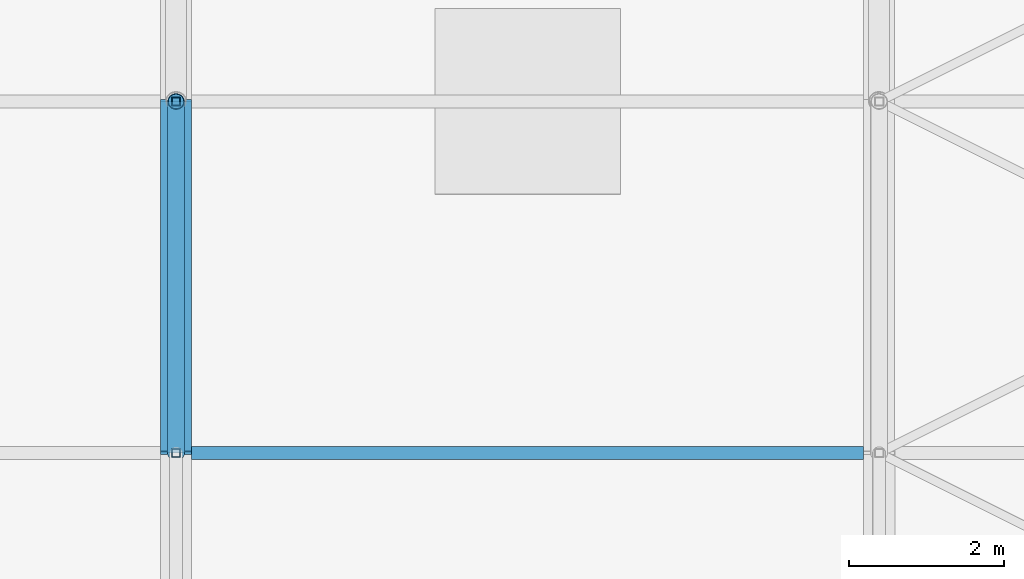
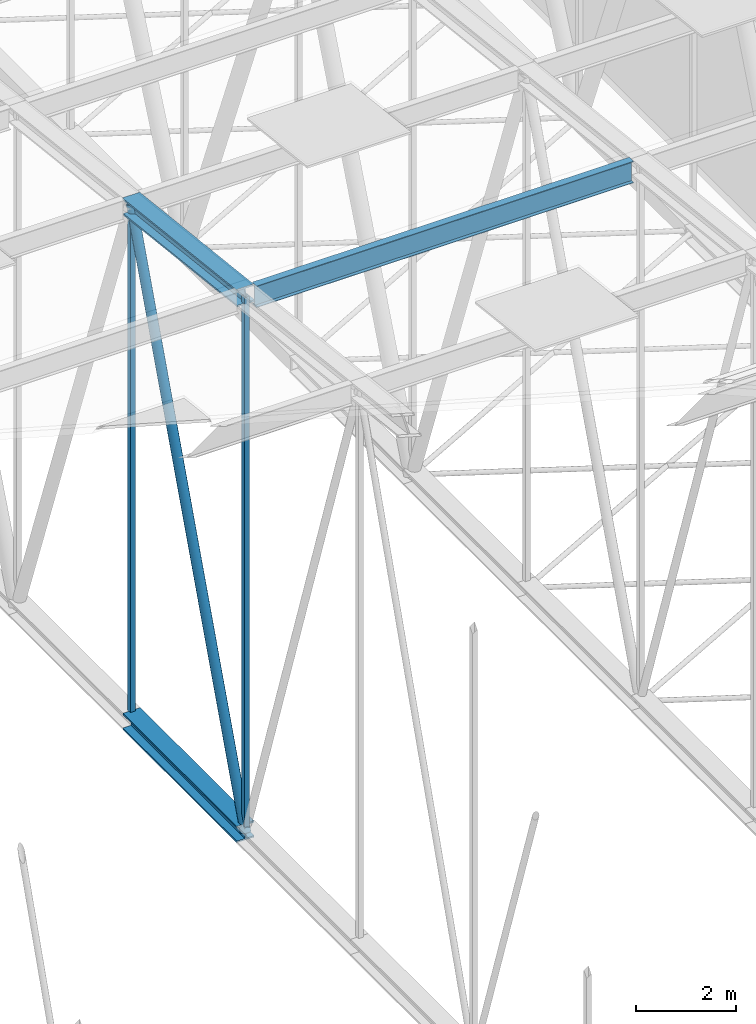
# One storey, part 263 of 500: 6 members.
"""IFC4 building model written with IfcOpenShell, lengths in metres."""

import ifcopenshell
import ifcopenshell.guid

model = None  # the IFC model being written
_history = None  # IfcOwnerHistory: only IFC2X3 demands one
_inside = {}  # id of a spatial element -> (the spatial element, [elements in it])
_under = {}  # id of a project, library or spatial element -> (it, [spatial elements below it])
_declared = {}  # id of a project -> (the project, [libraries it declares])
_typed = {}  # id of a type object -> (the type object, [elements of that type])
_made_of = {}  # id of a material, layer set ... -> (it, [elements and type objects made of it])


def new_model(schema):
    """Start an empty IFC model of exactly this schema.

    Asked for "IFC4X3", IfcOpenShell would pick the latest addendum, in which some entities
    have other attributes; the version numbers below select the first issue.
    IFC2X3 requires an IfcOwnerHistory on every rooted entity: one is made here for all.
    """
    global model, _history
    if schema == "IFC4X3":
        model = ifcopenshell.file(schema_version=(4, 3, 0, 0))
    else:
        model = ifcopenshell.file(schema=schema)
    _inside.clear()
    _under.clear()
    _declared.clear()
    _typed.clear()
    _made_of.clear()
    _history = None
    if model.schema == "IFC2X3":
        org = make("IfcOrganization", Name="unknown")
        user = make(
            "IfcPersonAndOrganization",
            ThePerson=make("IfcPerson", FamilyName="unknown"),
            TheOrganization=org,
        )
        app = make(
            "IfcApplication",
            ApplicationDeveloper=org,
            Version="unknown",
            ApplicationFullName="unknown",
            ApplicationIdentifier="unknown",
        )
        _history = make(
            "IfcOwnerHistory",
            OwningUser=user,
            OwningApplication=app,
            ChangeAction="ADDED",
            CreationDate=0,
        )
    return model


def make(cls, **values):
    """One entity of the class cls with the attributes given. An attribute that is None is left unset."""
    return model.create_entity(
        cls, **{name: value for name, value in values.items() if value is not None}
    )


def rooted(cls, **values):
    """An entity with a GlobalId (a new one), such as an element, a storey or a relation."""
    return make(cls, GlobalId=ifcopenshell.guid.new(), OwnerHistory=_history, **values)


def si_unit(unit_type, name, prefix=None):
    """IfcSIUnit, for example si_unit("LENGTHUNIT", "METRE", prefix="MILLI")."""
    return make("IfcSIUnit", UnitType=unit_type, Prefix=prefix, Name=name)


def assignment(units):
    """IfcUnitAssignment: the units of a project."""
    return None if units is None else make("IfcUnitAssignment", Units=units)


def point(xyz):
    """IfcCartesianPoint."""
    return None if xyz is None else make("IfcCartesianPoint", Coordinates=xyz)


def direction(xyz):
    """IfcDirection."""
    return None if xyz is None else make("IfcDirection", DirectionRatios=xyz)


def frame(location, z_axis=None, x_axis=None):
    """IfcAxis2Placement3D, a coordinate frame: its origin and axes. An axis left out is left unset."""
    return make(
        "IfcAxis2Placement3D",
        Location=point(location),
        Axis=direction(z_axis),
        RefDirection=direction(x_axis),
    )


def frame_2d(location, x_axis=None):
    """IfcAxis2Placement2D, a coordinate frame in the plane: its origin and x axis."""
    return make(
        "IfcAxis2Placement2D", Location=point(location), RefDirection=direction(x_axis)
    )


def origin():
    """The frame at (0, 0, 0) with its axes left unset."""
    return frame((0.0, 0.0, 0.0))


def origin_2d():
    """The frame at (0, 0) in the plane with its x axis left unset."""
    return frame_2d((0.0, 0.0))


def place(relative_to, where):
    """IfcLocalPlacement: puts the frame where relative to a parent placement (None: the world)."""
    return make(
        "IfcLocalPlacement", PlacementRelTo=relative_to, RelativePlacement=where
    )


def context(
    kind, dimensions, precision=None, world=None, true_north=None, identifier=None
):
    """IfcGeometricRepresentationContext, for example the 3D "Model" context."""
    return make(
        "IfcGeometricRepresentationContext",
        ContextIdentifier=identifier,
        ContextType=kind,
        CoordinateSpaceDimension=dimensions,
        Precision=precision,
        WorldCoordinateSystem=world,
        TrueNorth=true_north,
    )


def subcontext(parent, identifier, kind, view, scale=None):
    """IfcGeometricRepresentationSubContext, for example "Body" below "Model"."""
    return make(
        "IfcGeometricRepresentationSubContext",
        ContextIdentifier=identifier,
        ContextType=kind,
        ParentContext=parent,
        TargetScale=scale,
        TargetView=view,
    )


def project(units=None, contexts=None):
    """IfcProject with its units and contexts."""
    return rooted(
        "IfcProject",
        Name="project",
        RepresentationContexts=contexts,
        UnitsInContext=assignment(units),
    )


def spatial(cls, under=None, at=None, **own):
    """A site, building, storey or space (cls), placed at a placement, below another one or the project."""
    s = rooted(cls, ObjectPlacement=at, **own)
    if under is not None:
        _under.setdefault(under.id(), (under, []))[1].append(s)
    return s


def profile(cls, at=None, kind="AREA", **sizes):
    """A parametric profile (cls). Its sizes go by their IFC names, for example OverallWidth=200.0."""
    return make(cls, ProfileType=kind, Position=at, **sizes)


def hollow_rectangle(**sizes):
    """IfcRectangleHollowProfileDef."""
    return profile("IfcRectangleHollowProfileDef", **sizes)


def hollow_circle(**sizes):
    """IfcCircleHollowProfileDef."""
    return profile("IfcCircleHollowProfileDef", **sizes)


def i_section(**sizes):
    """IfcIShapeProfileDef."""
    return profile("IfcIShapeProfileDef", **sizes)


def extrude(swept, where, along, depth):
    """IfcExtrudedAreaSolid: the profile swept, set in the frame where, extruded along a direction by depth."""
    return make(
        "IfcExtrudedAreaSolid",
        SweptArea=swept,
        Position=where,
        ExtrudedDirection=direction(along),
        Depth=depth,
    )


def shape(context_of_items, identifier, shape_type, items):
    """IfcShapeRepresentation: the items that make up one representation, for example the "Body"."""
    return make(
        "IfcShapeRepresentation",
        ContextOfItems=context_of_items,
        RepresentationIdentifier=identifier,
        RepresentationType=shape_type,
        Items=items,
    )


def material(Name=None, Category=None):
    """IfcMaterial."""
    return make("IfcMaterial", Name=Name, Category=Category)


def material_profile(
    of_material, cross_section, Name=None, Category=None, Priority=None
):
    """IfcMaterialProfile: a cross section and its material."""
    return make(
        "IfcMaterialProfile",
        Name=Name,
        Material=of_material,
        Profile=cross_section,
        Priority=Priority,
        Category=Category,
    )


def profile_set(profiles, Name=None, composite=None):
    """IfcMaterialProfileSet."""
    return make(
        "IfcMaterialProfileSet",
        Name=Name,
        MaterialProfiles=profiles,
        CompositeProfile=composite,
    )


def made_of(thing, what):
    """Note that an element or type object is made of a material, layer set ...; save() writes the relation."""
    if what is not None:
        _made_of.setdefault(what.id(), (what, []))[1].append(thing)
    return thing


def type_object(cls, material=None, **own):
    """A type object (cls), such as IfcWallType, which elements share."""
    return made_of(rooted(cls, **own), material)


def element(
    cls,
    number,
    at=None,
    inside=None,
    cuts=None,
    type_object=None,
    material=None,
    context=None,
    identifier="Body",
    shape_type=None,
    held_by="IfcProductDefinitionShape",
    body=None,
    shapes=None,
    **own,
):
    """One element of the class cls, such as IfcWall. Its Tag is "e" and its number.

    at: its placement. inside: the storey or other place that contains it. cuts: it is an
    opening in that element (IfcRelVoidsElement). A single representation is given by context,
    identifier, shape_type and body (its items); several are given by shapes. held_by: the class
    of the entity that holds the representations. save() writes the other relations.
    """
    e = rooted(cls, Tag="e%d" % number, ObjectPlacement=at, **own)
    if body is not None:
        shapes = [shape(context, identifier, shape_type, body)]
    if shapes is not None:
        e.Representation = make(held_by, Representations=shapes)
    if inside is not None:
        _inside.setdefault(inside.id(), (inside, []))[1].append(e)
    if cuts is not None:
        rooted(
            "IfcRelVoidsElement", RelatingBuildingElement=cuts, RelatedOpeningElement=e
        )
    if type_object is not None:
        _typed.setdefault(type_object.id(), (type_object, []))[1].append(e)
    return made_of(e, material)


def aggregate(whole, parts):
    """IfcRelAggregates: a whole, such as a stair, and the parts it consists of."""
    return rooted("IfcRelAggregates", RelatingObject=whole, RelatedObjects=parts)


def save(model, path):
    """Write the relations noted so far, then the file.

    IfcRelAggregates (storeys below a building ...), IfcRelContainedInSpatialStructure (elements
    in a storey), IfcRelDefinesByType, IfcRelAssociatesMaterial and IfcRelDeclares: one each for
    every whole, place, type object, material and project.
    """
    for whole, parts in _under.values():
        aggregate(whole, parts)
    for where, things in _inside.values():
        rooted(
            "IfcRelContainedInSpatialStructure",
            RelatedElements=things,
            RelatingStructure=where,
        )
    for kind, things in _typed.values():
        rooted("IfcRelDefinesByType", RelatedObjects=things, RelatingType=kind)
    for what, things in _made_of.values():
        rooted("IfcRelAssociatesMaterial", RelatedObjects=things, RelatingMaterial=what)
    for by, libraries in _declared.values():
        rooted("IfcRelDeclares", RelatingContext=by, RelatedDefinitions=libraries)
    model.write(path)


model = new_model("IFC4")

# Units and contexts
model_context = context("Model", 3, precision=1e-05, world=origin(), true_north=direction((0.0, 1.0)))
body_context = subcontext(model_context, "Body", "Model", "MODEL_VIEW")
ifc_project = project(units=[si_unit("LENGTHUNIT", "METRE"), si_unit("AREAUNIT", "SQUARE_METRE"), si_unit("VOLUMEUNIT", "CUBIC_METRE"), si_unit("PLANEANGLEUNIT", "RADIAN"), si_unit("MASSUNIT", "GRAM", prefix="KILO")], contexts=[model_context])

# Site, building, storey
site_placement = place(None, origin())
site = spatial("IfcSite", under=ifc_project, at=site_placement, CompositionType="ELEMENT")
building_placement = place(site_placement, origin())
building = spatial("IfcBuilding", under=site, at=building_placement, Name="Shirokan Park Arena", CompositionType="ELEMENT")
storey_placement = place(building_placement, frame((0.0, 0.0, 29.1201171875)))
storey = spatial("IfcBuildingStorey", under=building, at=storey_placement, Name="L06", CompositionType="ELEMENT", Elevation=29.1201171875)

# Members
ifc_material_1 = material(Name="Steel ASTM A992", Category="steel")
ifc_material_profile_1 = material_profile(ifc_material_1, i_section(OverallWidth=0.40087890625, OverallDepth=0.39892578125, WebThickness=0.02490234375, FlangeThickness=0.03955078125, at=origin_2d()), Name="W360X314")
ifc_profile_set_1 = profile_set([ifc_material_profile_1], Name="Steel ASTM A992")
member_type_1 = type_object("IfcMemberType", Name="Bottom chord W360X314", PredefinedType="CHORD", material=ifc_profile_set_1)
member_1_placement = place(storey_placement, frame((81.89990234375, 63.699951171875, 4.677001953125), z_axis=(0.0, 1.0, 0.0), x_axis=(-1.0, 0.0, 0.0)))
element("IfcMember", 1, at=member_1_placement, inside=storey, type_object=member_type_1, Name="Truss T10 bottom chord 17", PredefinedType="CHORD", context=body_context, shape_type="SweptSolid", body=[
    extrude(i_section(OverallWidth=0.40087890625, OverallDepth=0.39892578125, WebThickness=0.02490234375, FlangeThickness=0.03955078125, at=origin_2d()), origin(), (0.0, 0.0, 1.0), 4.550048828125),
])
ifc_material_profile_2 = material_profile(ifc_material_1, i_section(OverallWidth=0.166015625, OverallDepth=0.528076171875, WebThickness=0.009765625, FlangeThickness=0.013671875, at=origin_2d()), Name="W530X74")
ifc_profile_set_2 = profile_set([ifc_material_profile_2], Name="Steel ASTM A992")
member_type_2 = type_object("IfcMemberType", Name="Purlin W530X74", PredefinedType="PURLIN", material=ifc_profile_set_2)
member_2_placement = place(storey_placement, frame((82.10302734375, 63.699951171875, 17.685791015625), z_axis=(1.0, 0.0, 0.0), x_axis=(0.0, 1.0, 0.0)))
element("IfcMember", 2, at=member_2_placement, inside=storey, type_object=member_type_2, Name="Purlin 17 bay 10", PredefinedType="PURLIN", context=body_context, shape_type="SweptSolid", body=[
    extrude(i_section(OverallWidth=0.166015625, OverallDepth=0.528076171875, WebThickness=0.009765625, FlangeThickness=0.013671875, at=origin_2d()), origin(), (0.0, 0.0, 1.0), 8.694091796875),
])
ifc_material_profile_3 = material_profile(ifc_material_1, i_section(OverallWidth=0.40087890625, OverallDepth=0.39892578125, WebThickness=0.02490234375, FlangeThickness=0.03955078125, at=origin_2d()), Name="W360X314")
ifc_profile_set_3 = profile_set([ifc_material_profile_3], Name="Steel ASTM A992")
member_type_3 = type_object("IfcMemberType", Name="Top chord W360X314", PredefinedType="CHORD", material=ifc_profile_set_3)
member_3_placement = place(storey_placement, frame((81.89990234375, 63.699951171875, 17.741455078125), z_axis=(0.0, 0.993532328996, -0.113549598152), x_axis=(-1.0, 0.0, 0.0)))
element("IfcMember", 3, at=member_3_placement, inside=storey, type_object=member_type_3, Name="Truss T10 top chord 17", PredefinedType="CHORD", context=body_context, shape_type="SweptSolid", body=[
    extrude(i_section(OverallWidth=0.40087890625, OverallDepth=0.39892578125, WebThickness=0.02490234375, FlangeThickness=0.03955078125, at=origin_2d()), origin(), (0.0, 0.0, 1.0), 4.57958984375),
])
ifc_material_2 = material(Name="Steel ASTM A500 Grade C", Category="steel")
ifc_material_profile_4 = material_profile(ifc_material_2, hollow_circle(Radius=0.109619140625, WallThickness=0.009521484375, at=origin_2d()), Name="HSS219.1X9.5")
ifc_profile_set_4 = profile_set([ifc_material_profile_4], Name="Steel ASTM A500 Grade C")
member_type_4 = type_object("IfcMemberType", Name="Truss diagonal HSS219.1X9.5", PredefinedType="BRACE", material=ifc_profile_set_4)
member_4_placement = place(storey_placement, frame((81.89990234375, 63.699951171875, 4.677001953125), z_axis=(0.0, 0.340977600467, 0.94007142068), x_axis=(-1.0, 0.0, 0.0)))
element("IfcMember", 4, at=member_4_placement, inside=storey, type_object=member_type_4, Name="Truss T10 diagonal 17", PredefinedType="BRACE", context=body_context, shape_type="SweptSolid", body=[
    extrude(hollow_circle(Radius=0.109619140625, WallThickness=0.009521484375, at=origin_2d()), origin(), (0.0, 0.0, 1.0), 13.34423828125),
])
ifc_material_profile_5 = material_profile(ifc_material_2, hollow_rectangle(XDim=0.114013671875, YDim=0.114013671875, WallThickness=0.00634765625, at=origin_2d()), Name="HSS114.3X114.3X6.4")
ifc_profile_set_5 = profile_set([ifc_material_profile_5], Name="Steel ASTM A500 Grade C")
member_type_5 = type_object("IfcMemberType", Name="Truss post HSS114.3X114.3X6.4", PredefinedType="POST", material=ifc_profile_set_5)
member_5_placement = place(storey_placement, frame((81.89990234375, 63.699951171875, 4.677001953125), z_axis=(0.0, 0.0, 1.0), x_axis=(1.0, 0.0, 0.0)))
element("IfcMember", 5, at=member_5_placement, inside=storey, type_object=member_type_5, Name="Truss T10 post 17", PredefinedType="POST", context=body_context, shape_type="SweptSolid", body=[
    extrude(hollow_rectangle(XDim=0.114013671875, YDim=0.114013671875, WallThickness=0.00634765625, at=origin_2d()), origin(), (0.0, 0.0, 1.0), 13.064453125),
])
member_6_placement = place(storey_placement, frame((81.89990234375, 68.25, 4.677001953125), z_axis=(0.0, 0.0, 1.0), x_axis=(1.0, 0.0, 0.0)))
element("IfcMember", 6, at=member_6_placement, inside=storey, type_object=member_type_5, Name="Truss T10 post 18", PredefinedType="POST", context=body_context, shape_type="SweptSolid", body=[
    extrude(hollow_rectangle(XDim=0.114013671875, YDim=0.114013671875, WallThickness=0.00634765625, at=origin_2d()), origin(), (0.0, 0.0, 1.0), 12.54443359375),
])

save(model, "model.ifc")
